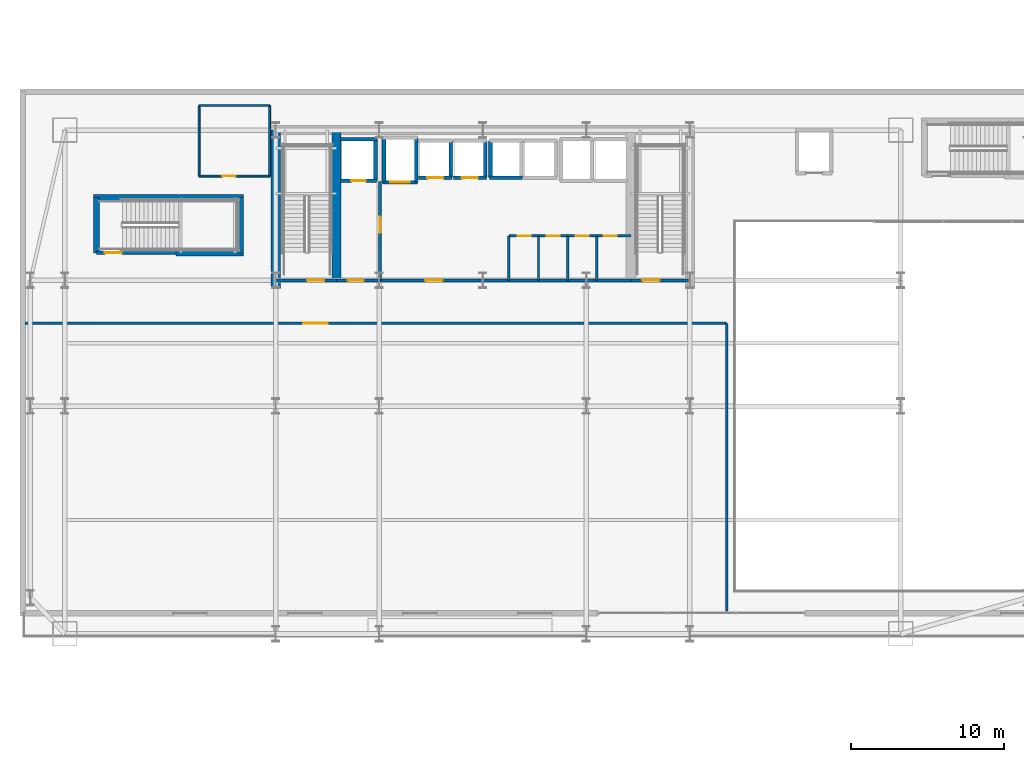
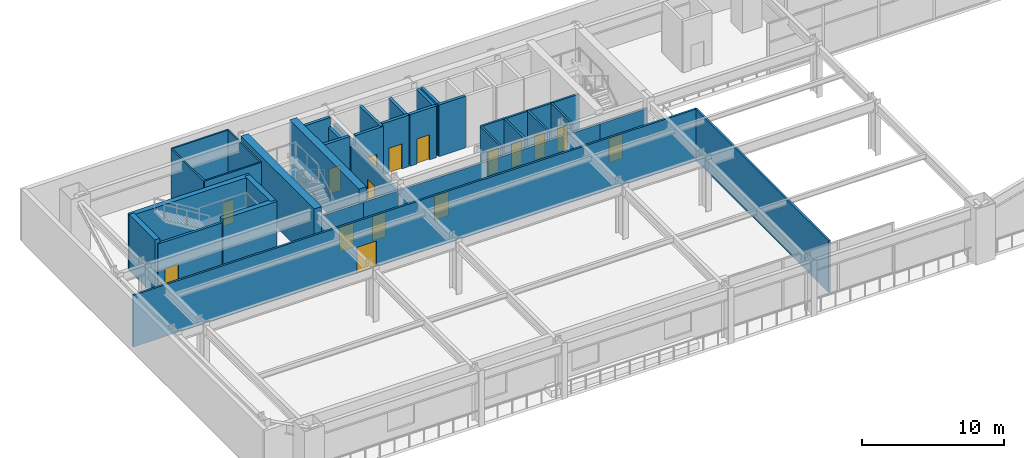
# One storey, part 19 of 35: 35 walls, 16 doors, 16 openings.
"""IFC4 building model written with IfcOpenShell, lengths in metres."""

from ifc_helpers import new_model, si_unit, direction, frame, frame_2d, origin, place, context, subcontext, project, spatial, rectangle, extrude, material, layer, layer_set, type_object, element, fill, save


model = new_model("IFC4")

# Units and contexts
model_context = context("Model", 3, precision=1e-05, world=origin(), true_north=direction((0.0, 1.0)))
body_context = subcontext(model_context, "Body", "Model", "MODEL_VIEW")
ifc_project = project(units=[si_unit("LENGTHUNIT", "METRE"), si_unit("AREAUNIT", "SQUARE_METRE"), si_unit("VOLUMEUNIT", "CUBIC_METRE"), si_unit("PLANEANGLEUNIT", "RADIAN"), si_unit("MASSUNIT", "GRAM", prefix="KILO")], contexts=[model_context])

# Site, building, storey
site_placement = place(None, origin())
site = spatial("IfcSite", under=ifc_project, at=site_placement, CompositionType="ELEMENT")
building_placement = place(site_placement, origin())
building = spatial("IfcBuilding", under=site, at=building_placement, Name="Haevon Station Towers", CompositionType="ELEMENT")
storey_placement = place(building_placement, frame((0.0, 0.0, 20.39990234375)))
storey = spatial("IfcBuildingStorey", under=building, at=storey_placement, Name="L04", CompositionType="ELEMENT", Elevation=20.39990234375)

# Wall, opening, door
ifc_material_1 = material(Name="Gypsum board on steel stud", Category="steel")
ifc_layer_1 = layer(ifc_material_1, 0.199951171875)
ifc_layer_set_1 = layer_set([ifc_layer_1], Name="Gypsum board on steel stud")
wall_type_1 = type_object("IfcWallType", Name="WL-COR200", PredefinedType="PARTITIONING", material=ifc_layer_set_1)
wall_1_placement = place(storey_placement, frame((24.0, 38.199951171875, 0.0), z_axis=(0.0, 0.0, 1.0), x_axis=(1.0, 0.0, 0.0)))
wall_1 = element("IfcWall", 1, at=wall_1_placement, inside=storey, type_object=wall_type_1, Name="WL-ST-ST1-L04", PredefinedType="PARTITIONING", context=body_context, shape_type="SweptSolid", body=[
    extrude(rectangle(XDim=3.949951171875, YDim=0.199951171875, at=frame_2d((1.97509765625, 0.0))), origin(), (0.0, 0.0, 1.0), 3.630126953125),
])
opening_1_placement = place(wall_1_placement, frame((2.050048828125, 0.0, 0.0)))
opening_1 = element("IfcOpeningElement", 2, at=opening_1_placement, cuts=wall_1, Name="Opening DR-ST-ST1-L04", PredefinedType="OPENING", context=body_context, shape_type="SweptSolid", body=[
    extrude(rectangle(XDim=1.1201171875, YDim=2.10009765625, at=frame_2d((0.56005859375, 1.050048828125))), frame((0.0, 0.10986328125, 0.0), z_axis=(0.0, -1.0, 0.0), x_axis=(1.0, 0.0, 0.0)), (0.0, 0.0, 1.0), 0.219970703125),
])
ifc_material_2 = material(Name="Engineered oak timber", Category="wood")
door_type_1 = type_object("IfcDoorType", Name="DR-ST-1120", OperationType="NOTDEFINED", PredefinedType="DOOR", material=ifc_material_2)
door_1_placement = place(opening_1_placement, origin())
door_1 = element("IfcDoor", 3, at=door_1_placement, inside=storey, type_object=door_type_1, Name="L04 Escape Stair ST1 Fire Door", OperationType="SINGLE_SWING_RIGHT", OverallHeight=2.10009765625, OverallWidth=1.1201171875, PredefinedType="DOOR", context=body_context, shape_type="SweptSolid", body=[
    extrude(rectangle(XDim=1.1201171875, YDim=2.10009765625, at=frame_2d((0.56005859375, 1.050048828125))), frame((0.0, 0.02490234375, 0.0), z_axis=(0.0, -1.0, 0.0), x_axis=(1.0, 0.0, 0.0)), (0.0, 0.0, 1.0), 0.050048828125),
])
fill(opening_1, door_1)

wall_2_placement = place(storey_placement, frame((47.14990234375, 38.199951171875, 0.0), z_axis=(0.0, 0.0, 1.0), x_axis=(1.0, 0.0, 0.0)))
wall_2 = element("IfcWall", 4, at=wall_2_placement, inside=storey, type_object=wall_type_1, Name="WL-ST-ST2-L04", PredefinedType="PARTITIONING", context=body_context, shape_type="SweptSolid", body=[
    extrude(rectangle(XDim=3.85009765625, YDim=0.199951171875, at=frame_2d((1.925048828125, 0.0))), origin(), (0.0, 0.0, 1.0), 3.630126953125),
])
opening_2_placement = place(wall_2_placement, frame((0.75, 0.0, 0.0)))
opening_2 = element("IfcOpeningElement", 5, at=opening_2_placement, cuts=wall_2, Name="Opening DR-ST-ST2-L04", PredefinedType="OPENING", context=body_context, shape_type="SweptSolid", body=[
    extrude(rectangle(XDim=1.1201171875, YDim=2.10009765625, at=frame_2d((0.56005859375, 1.050048828125))), frame((0.0, 0.10986328125, 0.0), z_axis=(0.0, -1.0, 0.0), x_axis=(1.0, 0.0, 0.0)), (0.0, 0.0, 1.0), 0.219970703125),
])
door_2_placement = place(opening_2_placement, origin())
door_2 = element("IfcDoor", 6, at=door_2_placement, inside=storey, type_object=door_type_1, Name="L04 Escape Stair ST2 Fire Door", OperationType="SINGLE_SWING_LEFT", OverallHeight=2.10009765625, OverallWidth=1.1201171875, PredefinedType="DOOR", context=body_context, shape_type="SweptSolid", body=[
    extrude(rectangle(XDim=1.1201171875, YDim=2.10009765625, at=frame_2d((0.56005859375, 1.050048828125))), frame((0.0, 0.02490234375, 0.0), z_axis=(0.0, -1.0, 0.0), x_axis=(1.0, 0.0, 0.0)), (0.0, 0.0, 1.0), 0.050048828125),
])
fill(opening_2, door_2)

wall_3_placement = place(storey_placement, frame((30.800048828125, 38.199951171875, 0.0), z_axis=(0.0, 0.0, 1.0), x_axis=(0.0, 1.0, 0.0)))
wall_3 = element("IfcWall", 7, at=wall_3_placement, inside=storey, type_object=wall_type_1, Name="WL-T1FFL-L04-E", PredefinedType="PARTITIONING", context=body_context, shape_type="SweptSolid", body=[
    extrude(rectangle(XDim=6.449951171875, YDim=0.199951171875, at=frame_2d((3.22509765625, 0.0))), origin(), (0.0, 0.0, 1.0), 3.630126953125),
])
opening_3_placement = place(wall_3_placement, frame((3.10009765625, 0.0, 0.0)))
opening_3 = element("IfcOpeningElement", 8, at=opening_3_placement, cuts=wall_3, Name="Opening DR-T1FFL-L04-E", PredefinedType="OPENING", context=body_context, shape_type="SweptSolid", body=[
    extrude(rectangle(XDim=1.050048828125, YDim=2.10009765625, at=frame_2d((0.52490234375, 1.050048828125))), frame((0.0, 0.10986328125, 0.0), z_axis=(0.0, -1.0, 0.0), x_axis=(1.0, 0.0, 0.0)), (0.0, 0.0, 1.0), 0.219970703125),
])
door_type_2 = type_object("IfcDoorType", Name="DR-FD60-1050", OperationType="NOTDEFINED", PredefinedType="DOOR", material=ifc_material_2)
door_3_placement = place(opening_3_placement, origin())
door_3 = element("IfcDoor", 9, at=door_3_placement, inside=storey, type_object=door_type_2, Name="L04 Tower 1 Firefighting Lift Lobby Door E", OperationType="SINGLE_SWING_RIGHT", OverallHeight=2.10009765625, OverallWidth=1.050048828125, PredefinedType="DOOR", context=body_context, shape_type="SweptSolid", body=[
    extrude(rectangle(XDim=1.050048828125, YDim=2.10009765625, at=frame_2d((0.52490234375, 1.050048828125))), frame((0.0, 0.02490234375, 0.0), z_axis=(0.0, -1.0, 0.0), x_axis=(1.0, 0.0, 0.0)), (0.0, 0.0, 1.0), 0.050048828125),
])
fill(opening_3, door_3)

wall_4_placement = place(storey_placement, frame((27.949951171875, 38.199951171875, 0.0), z_axis=(0.0, 0.0, 1.0), x_axis=(1.0, 0.0, 0.0)))
wall_4 = element("IfcWall", 10, at=wall_4_placement, inside=storey, type_object=wall_type_1, Name="WL-T1FFL-L04-S", PredefinedType="PARTITIONING", context=body_context, shape_type="SweptSolid", body=[
    extrude(rectangle(XDim=2.85009765625, YDim=0.199951171875, at=frame_2d((1.425048828125, 0.0))), origin(), (0.0, 0.0, 1.0), 3.630126953125),
])
opening_4_placement = place(wall_4_placement, frame((0.75, 0.0, 0.0)))
opening_4 = element("IfcOpeningElement", 11, at=opening_4_placement, cuts=wall_4, Name="Opening DR-T1FFL-L04-S", PredefinedType="OPENING", context=body_context, shape_type="SweptSolid", body=[
    extrude(rectangle(XDim=1.050048828125, YDim=2.10009765625, at=frame_2d((0.52490234375, 1.050048828125))), frame((0.0, 0.10986328125, 0.0), z_axis=(0.0, -1.0, 0.0), x_axis=(1.0, 0.0, 0.0)), (0.0, 0.0, 1.0), 0.219970703125),
])
door_4_placement = place(opening_4_placement, origin())
door_4 = element("IfcDoor", 12, at=door_4_placement, inside=storey, type_object=door_type_2, Name="L04 Tower 1 Firefighting Lift Lobby Door S", OperationType="SINGLE_SWING_LEFT", OverallHeight=2.10009765625, OverallWidth=1.050048828125, PredefinedType="DOOR", context=body_context, shape_type="SweptSolid", body=[
    extrude(rectangle(XDim=1.050048828125, YDim=2.10009765625, at=frame_2d((0.52490234375, 1.050048828125))), frame((0.0, 0.02490234375, 0.0), z_axis=(0.0, -1.0, 0.0), x_axis=(1.0, 0.0, 0.0)), (0.0, 0.0, 1.0), 0.050048828125),
])
fill(opening_4, door_4)

wall_5_placement = place(storey_placement, frame((30.800048828125, 38.199951171875, 0.0), z_axis=(0.0, 0.0, 1.0), x_axis=(1.0, 0.0, 0.0)))
wall_5 = element("IfcWall", 13, at=wall_5_placement, inside=storey, type_object=wall_type_1, Name="WL-T1CLB-L04", PredefinedType="PARTITIONING", context=body_context, shape_type="SweptSolid", body=[
    extrude(rectangle(XDim=16.349853515625, YDim=0.199951171875, at=frame_2d((8.1748046875, 0.0))), origin(), (0.0, 0.0, 1.0), 3.630126953125),
])
opening_5_placement = place(wall_5_placement, frame((2.949951171875, 0.0, 0.0)))
opening_5 = element("IfcOpeningElement", 14, at=opening_5_placement, cuts=wall_5, Name="Opening DR-T1CLB-L04-1", PredefinedType="OPENING", context=body_context, shape_type="SweptSolid", body=[
    extrude(rectangle(XDim=1.1201171875, YDim=2.10009765625, at=frame_2d((0.56005859375, 1.050048828125))), frame((0.0, 0.10986328125, 0.0), z_axis=(0.0, -1.0, 0.0), x_axis=(1.0, 0.0, 0.0)), (0.0, 0.0, 1.0), 0.219970703125),
])
door_5_placement = place(opening_5_placement, origin())
door_5 = element("IfcDoor", 15, at=door_5_placement, inside=storey, type_object=door_type_1, Name="L04 Tower 1 Core Lift Lobby Door 1", OperationType="SINGLE_SWING_RIGHT", OverallHeight=2.10009765625, OverallWidth=1.1201171875, PredefinedType="DOOR", context=body_context, shape_type="SweptSolid", body=[
    extrude(rectangle(XDim=1.1201171875, YDim=2.10009765625, at=frame_2d((0.56005859375, 1.050048828125))), frame((0.0, 0.02490234375, 0.0), z_axis=(0.0, -1.0, 0.0), x_axis=(1.0, 0.0, 0.0)), (0.0, 0.0, 1.0), 0.050048828125),
])
fill(opening_5, door_5)

wall_6_placement = place(storey_placement, frame((12.300048828125, 40.0, 0.0), z_axis=(0.0, 0.0, 1.0), x_axis=(1.0, 0.0, 0.0)))
wall_6 = element("IfcWall", 16, at=wall_6_placement, inside=storey, type_object=wall_type_1, Name="WL-ST-ST5-L04-S", PredefinedType="PARTITIONING", context=body_context, shape_type="SweptSolid", body=[
    extrude(rectangle(XDim=5.199951171875, YDim=0.199951171875, at=frame_2d((2.60009765625, 0.0))), origin(), (0.0, 0.0, 1.0), 4.43017578125),
])
opening_6_placement = place(wall_6_placement, frame((0.550048828125, 0.0, 0.0)))
opening_6 = element("IfcOpeningElement", 17, at=opening_6_placement, cuts=wall_6, Name="Opening DR-ST-ST5-L04", PredefinedType="OPENING", context=body_context, shape_type="SweptSolid", body=[
    extrude(rectangle(XDim=1.1201171875, YDim=2.10009765625, at=frame_2d((0.56005859375, 1.050048828125))), frame((0.0, 0.10986328125, 0.0), z_axis=(0.0, -1.0, 0.0), x_axis=(1.0, 0.0, 0.0)), (0.0, 0.0, 1.0), 0.219970703125),
])
door_6_placement = place(opening_6_placement, origin())
door_6 = element("IfcDoor", 18, at=door_6_placement, inside=storey, type_object=door_type_1, Name="L04 Station Escape Stair ST5 Fire Door", OperationType="SINGLE_SWING_RIGHT", OverallHeight=2.10009765625, OverallWidth=1.1201171875, PredefinedType="DOOR", context=body_context, shape_type="SweptSolid", body=[
    extrude(rectangle(XDim=1.1201171875, YDim=2.10009765625, at=frame_2d((0.56005859375, 1.050048828125))), frame((0.0, 0.02490234375, 0.0), z_axis=(0.0, -1.0, 0.0), x_axis=(1.0, 0.0, 0.0)), (0.0, 0.0, 1.0), 0.050048828125),
])
fill(opening_6, door_6)

# Walls
ifc_material_3 = material(Name="Concrete C60/75", Category="concrete")
ifc_layer_2 = layer(ifc_material_3, 0.39990234375)
ifc_layer_set_2 = layer_set([ifc_layer_2], Name="Concrete C60/75")
wall_type_2 = type_object("IfcWallType", Name="WL-CR400", PredefinedType="SHEAR", material=ifc_layer_set_2)
wall_7_placement = place(storey_placement, frame((12.10009765625, 43.60009765625, 0.0), z_axis=(0.0, 0.0, 1.0), x_axis=(1.0, 0.0, 0.0)))
element("IfcWall", 19, at=wall_7_placement, inside=storey, type_object=wall_type_2, Name="WL-ST5CR-L04-N", PredefinedType="SHEAR", context=body_context, shape_type="SweptSolid", body=[
    extrude(rectangle(XDim=9.7998046875, YDim=0.39990234375, at=frame_2d((4.89990234375, 0.0))), origin(), (0.0, 0.0, 1.0), 4.800048828125),
])
for number, where, z_axis, x_axis, name in (
    (20, (12.300048828125, 40.0, 0.0), (0.0, 0.0, 1.0), (0.0, 1.0, 0.0), "WL-ST5CR-L04-W"),
    (21, (21.699951171875, 40.0, 0.0), (0.0, 0.0, 1.0), (0.0, 1.0, 0.0), "WL-ST5CR-L04-E"),
):
    element("IfcWall", number, at=place(storey_placement, frame(where, z_axis=z_axis, x_axis=x_axis)), inside=storey, type_object=wall_type_2, Name=name, PredefinedType="SHEAR", context=body_context, shape_type="SweptSolid", body=[
        extrude(rectangle(XDim=3.60009765625, YDim=0.39990234375, at=frame_2d((1.800048828125, 0.0))), origin(), (0.0, 0.0, 1.0), 4.800048828125),
    ])
wall_8_placement = place(storey_placement, frame((17.5, 40.0, 0.0), z_axis=(0.0, 0.0, 1.0), x_axis=(1.0, 0.0, 0.0)))
element("IfcWall", 22, at=wall_8_placement, inside=storey, type_object=wall_type_2, Name="WL-ST5CR-L04-S2", PredefinedType="SHEAR", context=body_context, shape_type="SweptSolid", body=[
    extrude(rectangle(XDim=4.39990234375, YDim=0.39990234375, at=frame_2d((2.199951171875, 0.0))), origin(), (0.0, 0.0, 1.0), 4.800048828125),
])
ifc_layer_3 = layer(ifc_material_3, 0.60009765625)
ifc_layer_set_3 = layer_set([ifc_layer_3], Name="Concrete C60/75")
wall_type_3 = type_object("IfcWallType", Name="WL-CR600", PredefinedType="SHEAR", material=ifc_layer_set_3)
wall_9_placement = place(storey_placement, frame((24.0, 37.679931640625, 0.0), z_axis=(0.0, 0.0, 1.0), x_axis=(0.0, 1.0, 0.0)))
element("IfcWall", 23, at=wall_9_placement, inside=storey, type_object=wall_type_3, Name="WL-T1CR-L04-W", PredefinedType="SHEAR", context=body_context, shape_type="SweptSolid", body=[
    extrude(rectangle(XDim=10.320068359375, YDim=0.60009765625, at=frame_2d((5.16015625, 0.0))), origin(), (0.0, 0.0, 1.0), 4.800048828125),
])
wall_10_placement = place(storey_placement, frame((27.949951171875, 38.199951171875, 0.0), z_axis=(0.0, 0.0, 1.0), x_axis=(0.0, 1.0, 0.0)))
element("IfcWall", 24, at=wall_10_placement, inside=storey, type_object=wall_type_3, Name="WL-T1CR-L04-M1", PredefinedType="SHEAR", context=body_context, shape_type="SweptSolid", body=[
    extrude(rectangle(XDim=9.800048828125, YDim=0.60009765625, at=frame_2d((4.89990234375, 0.0))), origin(), (0.0, 0.0, 1.0), 4.800048828125),
])

# Wall, opening, door
ifc_layer_4 = layer(ifc_material_1, 0.125)
ifc_layer_set_4 = layer_set([ifc_layer_4], Name="Gypsum board on steel stud")
wall_type_4 = type_object("IfcWallType", Name="WL-PRT125", PredefinedType="PARTITIONING", material=ifc_layer_set_4)
wall_11_placement = place(storey_placement, frame((19.0, 45.0, 0.0), z_axis=(0.0, 0.0, 1.0), x_axis=(1.0, 0.0, 0.0)))
wall_11 = element("IfcWall", 25, at=wall_11_placement, inside=storey, type_object=wall_type_4, Name="WL-L04-WCS", PredefinedType="PARTITIONING", context=body_context, shape_type="SweptSolid", body=[
    extrude(rectangle(XDim=4.60009765625, YDim=0.125, at=frame_2d((2.300048828125, 0.0))), origin(), (0.0, 0.0, 1.0), 4.43017578125),
])
opening_7_placement = place(wall_11_placement, frame((1.5, 0.0, 0.0)))
opening_7 = element("IfcOpeningElement", 26, at=opening_7_placement, cuts=wall_11, Name="Opening DR-WL-L04-WCS-1", PredefinedType="OPENING", context=body_context, shape_type="SweptSolid", body=[
    extrude(rectangle(XDim=0.89990234375, YDim=2.050048828125, at=frame_2d((0.449951171875, 1.02490234375))), frame((0.0, 0.072509765625, 0.0), z_axis=(0.0, -1.0, 0.0), x_axis=(1.0, 0.0, 0.0)), (0.0, 0.0, 1.0), 0.14501953125),
])
door_type_3 = type_object("IfcDoorType", Name="DR-INT-900", OperationType="NOTDEFINED", PredefinedType="DOOR", material=ifc_material_2)
door_7_placement = place(opening_7_placement, origin())
door_7 = element("IfcDoor", 27, at=door_7_placement, inside=storey, type_object=door_type_3, Name="L04 Interior Door WL-L04-WCS-1", OperationType="SINGLE_SWING_LEFT", OverallHeight=2.050048828125, OverallWidth=0.89990234375, PredefinedType="DOOR", context=body_context, shape_type="SweptSolid", body=[
    extrude(rectangle(XDim=0.89990234375, YDim=2.050048828125, at=frame_2d((0.449951171875, 1.02490234375))), frame((0.0, 0.02490234375, 0.0), z_axis=(0.0, -1.0, 0.0), x_axis=(1.0, 0.0, 0.0)), (0.0, 0.0, 1.0), 0.050048828125),
])
fill(opening_7, door_7)

# Walls
for number, where, z_axis, x_axis, name in (
    (28, (19.0, 49.60009765625, 0.0), (0.0, 0.0, 1.0), (1.0, 0.0, 0.0), "WL-L04-WCN"),
    (29, (19.0, 45.0, 0.0), (0.0, 0.0, 1.0), (0.0, 1.0, 0.0), "WL-L04-WCW"),
    (30, (23.60009765625, 45.0, 0.0), (0.0, 0.0, 1.0), (0.0, 1.0, 0.0), "WL-L04-WCE"),
):
    element("IfcWall", number, at=place(storey_placement, frame(where, z_axis=z_axis, x_axis=x_axis)), inside=storey, type_object=wall_type_4, Name=name, PredefinedType="PARTITIONING", context=body_context, shape_type="SweptSolid", body=[
        extrude(rectangle(XDim=4.60009765625, YDim=0.125, at=frame_2d((2.300048828125, 0.0))), origin(), (0.0, 0.0, 1.0), 4.43017578125),
    ])
ifc_layer_5 = layer(ifc_material_1, 0.159912109375)
ifc_layer_set_5 = layer_set([ifc_layer_5], Name="Gypsum board on steel stud")
wall_type_5 = type_object("IfcWallType", Name="WL-PRT160", PredefinedType="PARTITIONING", material=ifc_layer_set_5)
wall_12_placement = place(storey_placement, frame((53.39990234375, 16.64990234375, 0.0), z_axis=(0.0, 0.0, 1.0), x_axis=(0.0, 1.0, 0.0)))
element("IfcWall", 31, at=wall_12_placement, inside=storey, type_object=wall_type_5, Name="WL-L04-WEST", PredefinedType="PARTITIONING", context=body_context, shape_type="SweptSolid", body=[
    extrude(rectangle(XDim=18.75, YDim=0.159912109375, at=frame_2d((9.375, 0.0))), origin(), (0.0, 0.0, 1.0), 4.43017578125),
])

# Wall, opening, door
wall_13_placement = place(storey_placement, frame((7.64990234375, 35.39990234375, 0.0), z_axis=(0.0, 0.0, 1.0), x_axis=(1.0, 0.0, 0.0)))
wall_13 = element("IfcWall", 32, at=wall_13_placement, inside=storey, type_object=wall_type_5, Name="WL-L04-WESTN", PredefinedType="PARTITIONING", context=body_context, shape_type="SweptSolid", body=[
    extrude(rectangle(XDim=45.75, YDim=0.159912109375, at=frame_2d((22.875, 0.0))), origin(), (0.0, 0.0, 1.0), 4.43017578125),
])
opening_8_placement = place(wall_13_placement, frame((18.14990234375, 0.0, 0.0)))
opening_8 = element("IfcOpeningElement", 33, at=opening_8_placement, cuts=wall_13, Name="Opening DR-WL-L04-WESTN-1", PredefinedType="OPENING", context=body_context, shape_type="SweptSolid", body=[
    extrude(rectangle(XDim=1.60009765625, YDim=2.199951171875, at=frame_2d((0.800048828125, 1.10009765625))), frame((0.0, 0.08984375, 0.0), z_axis=(0.0, -1.0, 0.0), x_axis=(1.0, 0.0, 0.0)), (0.0, 0.0, 1.0), 0.179931640625),
])
door_type_4 = type_object("IfcDoorType", Name="DR-POD-1600", OperationType="NOTDEFINED", PredefinedType="DOOR", material=ifc_material_2)
door_8_placement = place(opening_8_placement, origin())
door_8 = element("IfcDoor", 34, at=door_8_placement, inside=storey, type_object=door_type_4, Name="L04 Interior Door WL-L04-WESTN-1", OperationType="DOUBLE_DOOR_SINGLE_SWING", OverallHeight=2.199951171875, OverallWidth=1.60009765625, PredefinedType="DOOR", context=body_context, shape_type="SweptSolid", body=[
    extrude(rectangle(XDim=1.60009765625, YDim=2.199951171875, at=frame_2d((0.800048828125, 1.10009765625))), frame((0.0, 0.02490234375, 0.0), z_axis=(0.0, -1.0, 0.0), x_axis=(1.0, 0.0, 0.0)), (0.0, 0.0, 1.0), 0.050048828125),
])
fill(opening_8, door_8)

# Walls
for number, where, z_axis, x_axis, name in (
    (35, (39.199951171875, 38.199951171875, 0.0), (0.0, 0.0, 1.0), (0.0, 1.0, 0.0), "WL-T1CW-L04-01"),
    (36, (41.1298828125, 38.199951171875, 0.0), (0.0, 0.0, 1.0), (0.0, 1.0, 0.0), "WL-T1CW-L04-02"),
    (37, (43.030029296875, 38.199951171875, 0.0), (0.0, 0.0, 1.0), (0.0, 1.0, 0.0), "WL-T1CW-L04-03"),
    (38, (44.929931640625, 38.199951171875, 0.0), (0.0, 0.0, 1.0), (0.0, 1.0, 0.0), "WL-T1CW-L04-04"),
):
    element("IfcWall", number, at=place(storey_placement, frame(where, z_axis=z_axis, x_axis=x_axis)), inside=storey, type_object=wall_type_5, Name=name, PredefinedType="PARTITIONING", context=body_context, shape_type="SweptSolid", body=[
        extrude(rectangle(XDim=2.900146484375, YDim=0.159912109375, at=frame_2d((1.4501953125, 0.0))), origin(), (0.0, 0.0, 1.0), 4.43017578125),
    ])

# Wall, openings, doors
wall_14_placement = place(storey_placement, frame((39.199951171875, 41.10009765625, 0.0), z_axis=(0.0, 0.0, 1.0), x_axis=(1.0, 0.0, 0.0)))
wall_14 = element("IfcWall", 39, at=wall_14_placement, inside=storey, type_object=wall_type_5, Name="WL-T1CW-L04-05", PredefinedType="PARTITIONING", context=body_context, shape_type="SweptSolid", body=[
    extrude(rectangle(XDim=7.949951171875, YDim=0.159912109375, at=frame_2d((3.97509765625, 0.0))), origin(), (0.0, 0.0, 1.0), 4.43017578125),
])
opening_9_placement = place(wall_14_placement, frame((0.56005859375, 0.0, 0.0)))
opening_9 = element("IfcOpeningElement", 40, at=opening_9_placement, cuts=wall_14, Name="Opening DR-WL-T1CW-L04-05-1", PredefinedType="OPENING", context=body_context, shape_type="SweptSolid", body=[
    extrude(rectangle(XDim=0.85009765625, YDim=2.050048828125, at=frame_2d((0.425048828125, 1.02490234375))), frame((0.0, 0.08984375, 0.0), z_axis=(0.0, -1.0, 0.0), x_axis=(1.0, 0.0, 0.0)), (0.0, 0.0, 1.0), 0.179931640625),
])
opening_10_placement = place(wall_14_placement, frame((2.455078125, 0.0, 0.0)))
opening_10 = element("IfcOpeningElement", 41, at=opening_10_placement, cuts=wall_14, Name="Opening DR-WL-T1CW-L04-05-2", PredefinedType="OPENING", context=body_context, shape_type="SweptSolid", body=[
    extrude(rectangle(XDim=0.85009765625, YDim=2.050048828125, at=frame_2d((0.425048828125, 1.02490234375))), frame((0.0, 0.08984375, 0.0), z_axis=(0.0, -1.0, 0.0), x_axis=(1.0, 0.0, 0.0)), (0.0, 0.0, 1.0), 0.179931640625),
])
opening_11_placement = place(wall_14_placement, frame((4.35498046875, 0.0, 0.0)))
opening_11 = element("IfcOpeningElement", 42, at=opening_11_placement, cuts=wall_14, Name="Opening DR-WL-T1CW-L04-05-3", PredefinedType="OPENING", context=body_context, shape_type="SweptSolid", body=[
    extrude(rectangle(XDim=0.85009765625, YDim=2.050048828125, at=frame_2d((0.425048828125, 1.02490234375))), frame((0.0, 0.08984375, 0.0), z_axis=(0.0, -1.0, 0.0), x_axis=(1.0, 0.0, 0.0)), (0.0, 0.0, 1.0), 0.179931640625),
])
opening_12_placement = place(wall_14_placement, frame((6.179931640625, 0.0, 0.0)))
opening_12 = element("IfcOpeningElement", 43, at=opening_12_placement, cuts=wall_14, Name="Opening DR-WL-T1CW-L04-05-4", PredefinedType="OPENING", context=body_context, shape_type="SweptSolid", body=[
    extrude(rectangle(XDim=0.85009765625, YDim=2.050048828125, at=frame_2d((0.425048828125, 1.02490234375))), frame((0.0, 0.08984375, 0.0), z_axis=(0.0, -1.0, 0.0), x_axis=(1.0, 0.0, 0.0)), (0.0, 0.0, 1.0), 0.179931640625),
])
door_type_5 = type_object("IfcDoorType", Name="DR-FD30-850", OperationType="NOTDEFINED", PredefinedType="DOOR", material=ifc_material_2)
door_9_placement = place(opening_9_placement, origin())
door_9 = element("IfcDoor", 44, at=door_9_placement, inside=storey, type_object=door_type_5, Name="L04 Tower 1 Core Room Door 5-1", OperationType="SINGLE_SWING_RIGHT", OverallHeight=2.050048828125, OverallWidth=0.85009765625, PredefinedType="DOOR", context=body_context, shape_type="SweptSolid", body=[
    extrude(rectangle(XDim=0.85009765625, YDim=2.050048828125, at=frame_2d((0.425048828125, 1.02490234375))), frame((0.0, 0.02490234375, 0.0), z_axis=(0.0, -1.0, 0.0), x_axis=(1.0, 0.0, 0.0)), (0.0, 0.0, 1.0), 0.050048828125),
])
fill(opening_9, door_9)
door_10_placement = place(opening_10_placement, origin())
door_10 = element("IfcDoor", 45, at=door_10_placement, inside=storey, type_object=door_type_5, Name="L04 Tower 1 Core Room Door 5-2", OperationType="SINGLE_SWING_LEFT", OverallHeight=2.050048828125, OverallWidth=0.85009765625, PredefinedType="DOOR", context=body_context, shape_type="SweptSolid", body=[
    extrude(rectangle(XDim=0.85009765625, YDim=2.050048828125, at=frame_2d((0.425048828125, 1.02490234375))), frame((0.0, 0.02490234375, 0.0), z_axis=(0.0, -1.0, 0.0), x_axis=(1.0, 0.0, 0.0)), (0.0, 0.0, 1.0), 0.050048828125),
])
fill(opening_10, door_10)
door_11_placement = place(opening_11_placement, origin())
door_11 = element("IfcDoor", 46, at=door_11_placement, inside=storey, type_object=door_type_5, Name="L04 Tower 1 Core Room Door 5-3", OperationType="SINGLE_SWING_RIGHT", OverallHeight=2.050048828125, OverallWidth=0.85009765625, PredefinedType="DOOR", context=body_context, shape_type="SweptSolid", body=[
    extrude(rectangle(XDim=0.85009765625, YDim=2.050048828125, at=frame_2d((0.425048828125, 1.02490234375))), frame((0.0, 0.02490234375, 0.0), z_axis=(0.0, -1.0, 0.0), x_axis=(1.0, 0.0, 0.0)), (0.0, 0.0, 1.0), 0.050048828125),
])
fill(opening_11, door_11)
door_12_placement = place(opening_12_placement, origin())
door_12 = element("IfcDoor", 47, at=door_12_placement, inside=storey, type_object=door_type_5, Name="L04 Tower 1 Core Room Door 5-4", OperationType="SINGLE_SWING_LEFT", OverallHeight=2.050048828125, OverallWidth=0.85009765625, PredefinedType="DOOR", context=body_context, shape_type="SweptSolid", body=[
    extrude(rectangle(XDim=0.85009765625, YDim=2.050048828125, at=frame_2d((0.425048828125, 1.02490234375))), frame((0.0, 0.02490234375, 0.0), z_axis=(0.0, -1.0, 0.0), x_axis=(1.0, 0.0, 0.0)), (0.0, 0.0, 1.0), 0.050048828125),
])
fill(opening_12, door_12)

# Wall, opening, door
ifc_material_4 = material(Name="Concrete C40/50", Category="concrete")
ifc_layer_6 = layer(ifc_material_4, 0.239990234375)
ifc_layer_set_6 = layer_set([ifc_layer_6], Name="Concrete C40/50")
wall_type_6 = type_object("IfcWallType", Name="WL-SHF240", PredefinedType="PARTITIONING", material=ifc_layer_set_6)
wall_15_placement = place(storey_placement, frame((28.219970703125, 44.699951171875, 0.0), z_axis=(0.0, 0.0, 1.0), x_axis=(1.0, 0.0, 0.0)))
wall_15 = element("IfcWall", 48, at=wall_15_placement, inside=storey, type_object=wall_type_6, Name="WL-SHF-FL1-L04", PredefinedType="PARTITIONING", context=body_context, shape_type="SweptSolid", body=[
    extrude(rectangle(XDim=2.360107421875, YDim=0.239990234375, at=frame_2d((1.18017578125, 0.0))), origin(), (0.0, 0.0, 1.0), 4.43017578125),
])
opening_13_placement = place(wall_15_placement, frame((0.705078125, 0.0, 0.0)))
opening_13 = element("IfcOpeningElement", 49, at=opening_13_placement, cuts=wall_15, Name="Opening LD-FL1-L04", PredefinedType="OPENING", context=body_context, shape_type="SweptSolid", body=[
    extrude(rectangle(XDim=0.949951171875, YDim=2.14990234375, at=frame_2d((0.47509765625, 1.074951171875))), frame((0.0, 0.1298828125, 0.0), z_axis=(0.0, -1.0, 0.0), x_axis=(1.0, 0.0, 0.0)), (0.0, 0.0, 1.0), 0.260009765625),
])
ifc_material_5 = material(Name="Stainless steel and rated core", Category="steel")
door_type_6 = type_object("IfcDoorType", Name="LD-FL950", OperationType="SLIDING_TO_LEFT", PredefinedType="DOOR", material=ifc_material_5)
door_13_placement = place(opening_13_placement, origin())
door_13 = element("IfcDoor", 50, at=door_13_placement, inside=storey, type_object=door_type_6, Name="L04 Lift FL1 Sliding Landing Door", OperationType="SLIDING_TO_LEFT", OverallHeight=2.14990234375, OverallWidth=0.949951171875, PredefinedType="DOOR", context=body_context, shape_type="SweptSolid", body=[
    extrude(rectangle(XDim=0.949951171875, YDim=2.14990234375, at=frame_2d((0.47509765625, 1.074951171875))), frame((0.0, 0.02490234375, 0.0), z_axis=(0.0, -1.0, 0.0), x_axis=(1.0, 0.0, 0.0)), (0.0, 0.0, 1.0), 0.050048828125),
])
fill(opening_13, door_13)

# Walls
wall_16_placement = place(storey_placement, frame((28.219970703125, 47.39990234375, 0.0), z_axis=(0.0, 0.0, 1.0), x_axis=(1.0, 0.0, 0.0)))
element("IfcWall", 51, at=wall_16_placement, inside=storey, type_object=wall_type_6, Name="WL-SHF-FL1-L04-N", PredefinedType="PARTITIONING", context=body_context, shape_type="SweptSolid", body=[
    extrude(rectangle(XDim=2.360107421875, YDim=0.239990234375, at=frame_2d((1.18017578125, 0.0))), origin(), (0.0, 0.0, 1.0), 4.43017578125),
])
wall_17_placement = place(storey_placement, frame((30.5, 44.699951171875, 0.0), z_axis=(0.0, 0.0, 1.0), x_axis=(0.0, 1.0, 0.0)))
element("IfcWall", 52, at=wall_17_placement, inside=storey, type_object=wall_type_6, Name="WL-SHF-FL1-L04-E", PredefinedType="PARTITIONING", context=body_context, shape_type="SweptSolid", body=[
    extrude(rectangle(XDim=2.699951171875, YDim=0.239990234375, at=frame_2d((1.35009765625, 0.0))), origin(), (0.0, 0.0, 1.0), 3.630126953125),
])

# Wall, opening, door
wall_18_placement = place(storey_placement, frame((30.969970703125, 44.60009765625, 0.0), z_axis=(0.0, 0.0, 1.0), x_axis=(1.0, 0.0, 0.0)))
wall_18 = element("IfcWall", 53, at=wall_18_placement, inside=storey, type_object=wall_type_6, Name="WL-SHF-SL1-L04", PredefinedType="PARTITIONING", context=body_context, shape_type="SweptSolid", body=[
    extrude(rectangle(XDim=2.260009765625, YDim=0.239990234375, at=frame_2d((1.1298828125, 0.0))), origin(), (0.0, 0.0, 1.0), 4.43017578125),
])
opening_14_placement = place(wall_18_placement, frame((0.5048828125, 0.0, 0.0)))
opening_14 = element("IfcOpeningElement", 54, at=opening_14_placement, cuts=wall_18, Name="Opening LD-SL1-L04", PredefinedType="OPENING", context=body_context, shape_type="SweptSolid", body=[
    extrude(rectangle(XDim=1.25, YDim=2.199951171875, at=frame_2d((0.625, 1.10009765625))), frame((0.0, 0.1298828125, 0.0), z_axis=(0.0, -1.0, 0.0), x_axis=(1.0, 0.0, 0.0)), (0.0, 0.0, 1.0), 0.260009765625),
])
door_type_7 = type_object("IfcDoorType", Name="LD-SL1250", OperationType="SLIDING_TO_LEFT", PredefinedType="DOOR", material=ifc_material_5)
door_14_placement = place(opening_14_placement, origin())
door_14 = element("IfcDoor", 55, at=door_14_placement, inside=storey, type_object=door_type_7, Name="L04 Lift SL1 Sliding Landing Door", OperationType="SLIDING_TO_LEFT", OverallHeight=2.199951171875, OverallWidth=1.25, PredefinedType="DOOR", context=body_context, shape_type="SweptSolid", body=[
    extrude(rectangle(XDim=1.25, YDim=2.199951171875, at=frame_2d((0.625, 1.10009765625))), frame((0.0, 0.02490234375, 0.0), z_axis=(0.0, -1.0, 0.0), x_axis=(1.0, 0.0, 0.0)), (0.0, 0.0, 1.0), 0.050048828125),
])
fill(opening_14, door_14)

# Walls
wall_19_placement = place(storey_placement, frame((31.050048828125, 44.60009765625, 0.0), z_axis=(0.0, 0.0, 1.0), x_axis=(0.0, 1.0, 0.0)))
element("IfcWall", 56, at=wall_19_placement, inside=storey, type_object=wall_type_6, Name="WL-SHF-SL1-L04-W", PredefinedType="PARTITIONING", context=body_context, shape_type="SweptSolid", body=[
    extrude(rectangle(XDim=2.89990234375, YDim=0.239990234375, at=frame_2d((1.449951171875, 0.0))), origin(), (0.0, 0.0, 1.0), 3.630126953125),
])
wall_20_placement = place(storey_placement, frame((33.14990234375, 44.60009765625, 0.0), z_axis=(0.0, 0.0, 1.0), x_axis=(0.0, 1.0, 0.0)))
element("IfcWall", 57, at=wall_20_placement, inside=storey, type_object=wall_type_6, Name="WL-SHF-SL1-L04-E", PredefinedType="PARTITIONING", context=body_context, shape_type="SweptSolid", body=[
    extrude(rectangle(XDim=2.89990234375, YDim=0.239990234375, at=frame_2d((1.449951171875, 0.0))), origin(), (0.0, 0.0, 1.0), 4.43017578125),
])

# Wall, opening, door
wall_21_placement = place(storey_placement, frame((33.320068359375, 44.89990234375, 0.0), z_axis=(0.0, 0.0, 1.0), x_axis=(1.0, 0.0, 0.0)))
wall_21 = element("IfcWall", 58, at=wall_21_placement, inside=storey, type_object=wall_type_6, Name="WL-SHF-PL1-L04", PredefinedType="PARTITIONING", context=body_context, shape_type="SweptSolid", body=[
    extrude(rectangle(XDim=2.159912109375, YDim=0.239990234375, at=frame_2d((1.080078125, 0.0))), origin(), (0.0, 0.0, 1.0), 4.43017578125),
])
opening_15_placement = place(wall_21_placement, frame((0.554931640625, 0.0, 0.0)))
opening_15 = element("IfcOpeningElement", 59, at=opening_15_placement, cuts=wall_21, Name="Opening LD-PL1-L04", PredefinedType="OPENING", context=body_context, shape_type="SweptSolid", body=[
    extrude(rectangle(XDim=1.050048828125, YDim=2.14990234375, at=frame_2d((0.52490234375, 1.074951171875))), frame((0.0, 0.1298828125, 0.0), z_axis=(0.0, -1.0, 0.0), x_axis=(1.0, 0.0, 0.0)), (0.0, 0.0, 1.0), 0.260009765625),
])
door_type_8 = type_object("IfcDoorType", Name="LD-PL1050", OperationType="SLIDING_TO_LEFT", PredefinedType="DOOR", material=ifc_material_5)
door_15_placement = place(opening_15_placement, origin())
door_15 = element("IfcDoor", 60, at=door_15_placement, inside=storey, type_object=door_type_8, Name="L04 Lift PL1 Sliding Landing Door", OperationType="SLIDING_TO_LEFT", OverallHeight=2.14990234375, OverallWidth=1.050048828125, PredefinedType="DOOR", context=body_context, shape_type="SweptSolid", body=[
    extrude(rectangle(XDim=1.050048828125, YDim=2.14990234375, at=frame_2d((0.52490234375, 1.074951171875))), frame((0.0, 0.02490234375, 0.0), z_axis=(0.0, -1.0, 0.0), x_axis=(1.0, 0.0, 0.0)), (0.0, 0.0, 1.0), 0.050048828125),
])
fill(opening_15, door_15)

# Wall
wall_22_placement = place(storey_placement, frame((35.39990234375, 44.89990234375, 0.0), z_axis=(0.0, 0.0, 1.0), x_axis=(0.0, 1.0, 0.0)))
element("IfcWall", 61, at=wall_22_placement, inside=storey, type_object=wall_type_6, Name="WL-SHF-PL1-L04-E", PredefinedType="PARTITIONING", context=body_context, shape_type="SweptSolid", body=[
    extrude(rectangle(XDim=2.400146484375, YDim=0.239990234375, at=frame_2d((1.2001953125, 0.0))), origin(), (0.0, 0.0, 1.0), 4.43017578125),
])

# Wall, opening, door
wall_23_placement = place(storey_placement, frame((35.570068359375, 44.89990234375, 0.0), z_axis=(0.0, 0.0, 1.0), x_axis=(1.0, 0.0, 0.0)))
wall_23 = element("IfcWall", 62, at=wall_23_placement, inside=storey, type_object=wall_type_6, Name="WL-SHF-PL2-L04", PredefinedType="PARTITIONING", context=body_context, shape_type="SweptSolid", body=[
    extrude(rectangle(XDim=2.159912109375, YDim=0.239990234375, at=frame_2d((1.080078125, 0.0))), origin(), (0.0, 0.0, 1.0), 4.43017578125),
])
opening_16_placement = place(wall_23_placement, frame((0.554931640625, 0.0, 0.0)))
opening_16 = element("IfcOpeningElement", 63, at=opening_16_placement, cuts=wall_23, Name="Opening LD-PL2-L04", PredefinedType="OPENING", context=body_context, shape_type="SweptSolid", body=[
    extrude(rectangle(XDim=1.050048828125, YDim=2.14990234375, at=frame_2d((0.52490234375, 1.074951171875))), frame((0.0, 0.1298828125, 0.0), z_axis=(0.0, -1.0, 0.0), x_axis=(1.0, 0.0, 0.0)), (0.0, 0.0, 1.0), 0.260009765625),
])
door_16_placement = place(opening_16_placement, origin())
door_16 = element("IfcDoor", 64, at=door_16_placement, inside=storey, type_object=door_type_8, Name="L04 Lift PL2 Sliding Landing Door", OperationType="SLIDING_TO_LEFT", OverallHeight=2.14990234375, OverallWidth=1.050048828125, PredefinedType="DOOR", context=body_context, shape_type="SweptSolid", body=[
    extrude(rectangle(XDim=1.050048828125, YDim=2.14990234375, at=frame_2d((0.52490234375, 1.074951171875))), frame((0.0, 0.02490234375, 0.0), z_axis=(0.0, -1.0, 0.0), x_axis=(1.0, 0.0, 0.0)), (0.0, 0.0, 1.0), 0.050048828125),
])
fill(opening_16, door_16)

# Walls
wall_24_placement = place(storey_placement, frame((37.64990234375, 44.89990234375, 0.0), z_axis=(0.0, 0.0, 1.0), x_axis=(0.0, 1.0, 0.0)))
element("IfcWall", 65, at=wall_24_placement, inside=storey, type_object=wall_type_6, Name="WL-SHF-PL2-L04-E", PredefinedType="PARTITIONING", context=body_context, shape_type="SweptSolid", body=[
    extrude(rectangle(XDim=2.400146484375, YDim=0.239990234375, at=frame_2d((1.2001953125, 0.0))), origin(), (0.0, 0.0, 1.0), 4.43017578125),
])
wall_25_placement = place(storey_placement, frame((37.919921875, 44.89990234375, 0.0), z_axis=(0.0, 0.0, 1.0), x_axis=(1.0, 0.0, 0.0)))
element("IfcWall", 66, at=wall_25_placement, inside=storey, type_object=wall_type_6, Name="WL-SHF-PL3-L04", PredefinedType="PARTITIONING", context=body_context, shape_type="SweptSolid", body=[
    extrude(rectangle(XDim=2.16015625, YDim=0.239990234375, at=frame_2d((1.080078125, 0.0))), origin(), (0.0, 0.0, 1.0), 4.43017578125),
])
wall_26_placement = place(storey_placement, frame((38.0, 44.89990234375, 0.0), z_axis=(0.0, 0.0, 1.0), x_axis=(0.0, 1.0, 0.0)))
element("IfcWall", 67, at=wall_26_placement, inside=storey, type_object=wall_type_6, Name="WL-SHF-PL3-L04-W", PredefinedType="PARTITIONING", context=body_context, shape_type="SweptSolid", body=[
    extrude(rectangle(XDim=2.400146484375, YDim=0.239990234375, at=frame_2d((1.2001953125, 0.0))), origin(), (0.0, 0.0, 1.0), 4.43017578125),
])

save(model, "model.ifc")
